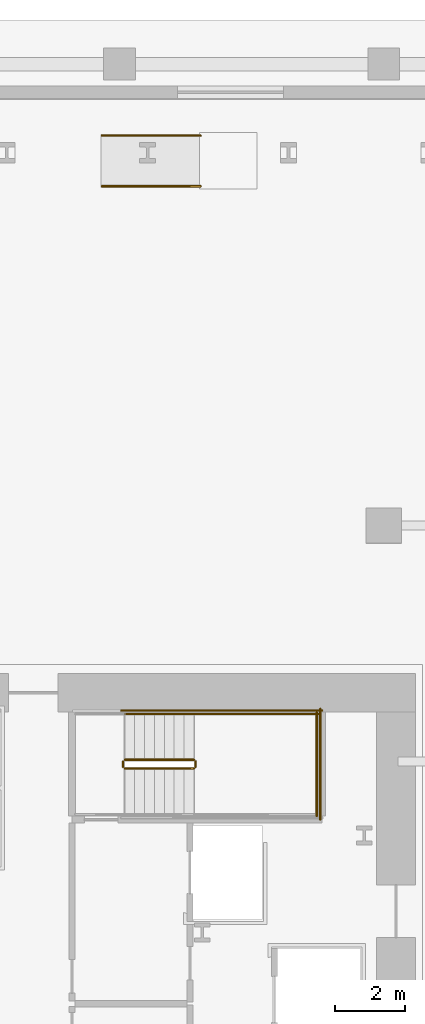
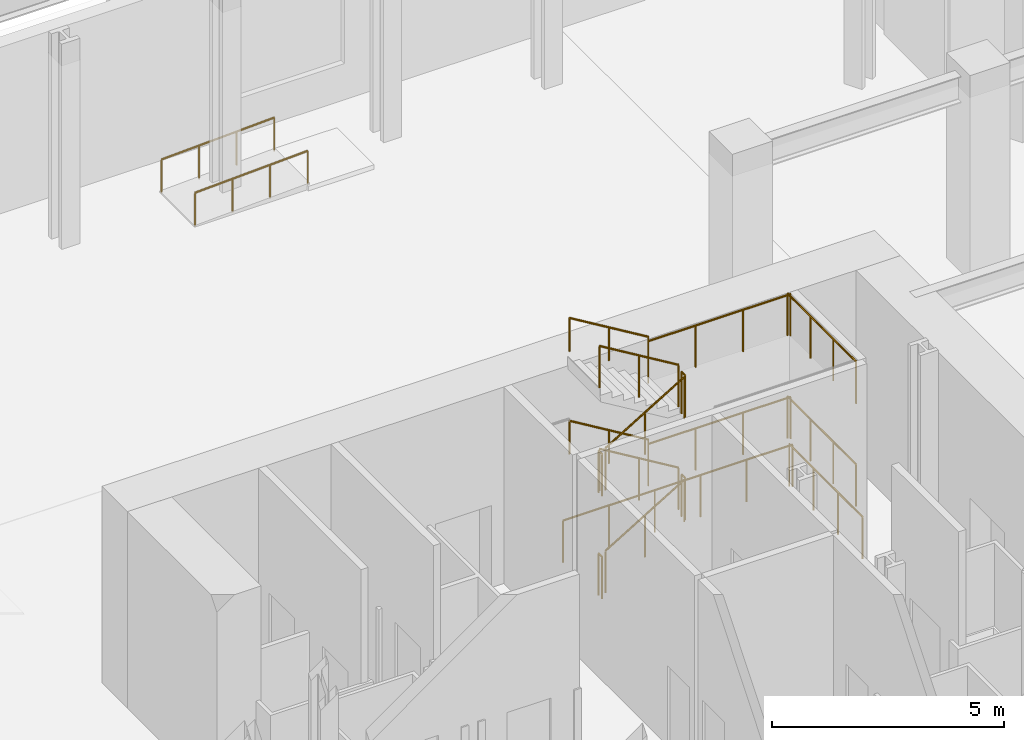
# One storey, part 15 of 18: 18 railings.
"""IFC4 building model written with IfcOpenShell, lengths in metres."""

from ifc_helpers import new_model, si_unit, direction, frame, origin, origin_2d, place, context, subcontext, project, spatial, circle, extrude, material, type_object, element, save


model = new_model("IFC4")

# Units and contexts
model_context = context("Model", 3, precision=1e-05, world=origin(), true_north=direction((0.0, 1.0)))
body_context = subcontext(model_context, "Body", "Model", "MODEL_VIEW")
ifc_project = project(units=[si_unit("LENGTHUNIT", "METRE"), si_unit("AREAUNIT", "SQUARE_METRE"), si_unit("VOLUMEUNIT", "CUBIC_METRE"), si_unit("PLANEANGLEUNIT", "RADIAN"), si_unit("MASSUNIT", "GRAM", prefix="KILO")], contexts=[model_context])

# Site, building, storey
site_placement = place(None, origin())
site = spatial("IfcSite", under=ifc_project, at=site_placement, CompositionType="ELEMENT")
building_placement = place(site_placement, origin())
building = spatial("IfcBuilding", under=site, at=building_placement, Name="Valkerne Bourse Tower", CompositionType="ELEMENT")
storey_placement = place(building_placement, origin())
storey = spatial("IfcBuildingStorey", under=building, at=storey_placement, Name="L00", CompositionType="ELEMENT", Elevation=0.0)

# Railings
ifc_material_1 = material(Name="Galvanised Painted Steel", Category="steel")
railing_type_1 = type_object("IfcRailingType", Name="RLG-ST-GUARD-1120", PredefinedType="GUARDRAIL", material=ifc_material_1)
railing_1_placement = place(storey_placement, frame((48.14990234375, 33.550048828125, 0.168701171875)))
element("IfcRailing", 1, at=railing_1_placement, inside=storey, type_object=railing_type_1, Name="L00 ST-2 stair guard 1", PredefinedType="GUARDRAIL", context=body_context, shape_type="SweptSolid", body=[
    extrude(circle(Radius=0.02392578125, at=origin_2d()), frame((0.0, 0.0, 1.09619140625), z_axis=(0.856474724393, 0.0, 0.516188963923), x_axis=(0.0, 1.0, 0.0)), (0.0, 0.0, 1.0), 2.28857421875),
    extrude(circle(Radius=0.02099609375, at=origin_2d()), origin(), (0.0, 0.0, 1.0), 1.072021484375),
    extrude(circle(Radius=0.02099609375, at=origin_2d()), frame((0.97998046875, 0.0, 0.5908203125)), (0.0, 0.0, 1.0), 1.072021484375),
    extrude(circle(Radius=0.02099609375, at=origin_2d()), frame((1.960205078125, 0.0, 1.181396484375)), (0.0, 0.0, 1.0), 1.072021484375),
])
railing_2_placement = place(storey_placement, frame((50.159912109375, 33.60009765625, 1.35009765625)))
element("IfcRailing", 2, at=railing_2_placement, inside=storey, type_object=railing_type_1, Name="L00 ST-2 stair guard 2", PredefinedType="GUARDRAIL", context=body_context, shape_type="SweptSolid", body=[
    extrude(circle(Radius=0.02392578125, at=origin_2d()), frame((0.0, 0.0, 1.09619140625), z_axis=(0.0, 1.0, 0.0), x_axis=(-1.0, 0.0, 0.0)), (0.0, 0.0, 1.0), 0.14990234375),
    extrude(circle(Radius=0.02099609375, at=origin_2d()), origin(), (0.0, 0.0, 1.0), 1.072021484375),
    extrude(circle(Radius=0.02099609375, at=origin_2d()), frame((0.0, 0.14990234375, 0.0)), (0.0, 0.0, 1.0), 1.072021484375),
])
railing_3_placement = place(storey_placement, frame((50.110107421875, 35.10009765625, 1.35009765625)))
element("IfcRailing", 3, at=railing_3_placement, inside=storey, type_object=railing_type_1, Name="L00 ST-2 stair guard 4", PredefinedType="GUARDRAIL", context=body_context, shape_type="SweptSolid", body=[
    extrude(circle(Radius=0.02392578125, at=origin_2d()), frame((0.0, 0.0, 1.09619140625), z_axis=(1.0, 0.0, 0.0), x_axis=(0.0, 1.0, 0.0)), (0.0, 0.0, 1.0), 3.539794921875),
    extrude(circle(Radius=0.02099609375, at=origin_2d()), origin(), (0.0, 0.0, 1.0), 1.072021484375),
    extrude(circle(Radius=0.02099609375, at=origin_2d()), frame((1.179931640625, 0.0, 0.0)), (0.0, 0.0, 1.0), 1.072021484375),
    extrude(circle(Radius=0.02099609375, at=origin_2d()), frame((2.35986328125, 0.0, 0.0)), (0.0, 0.0, 1.0), 1.072021484375),
    extrude(circle(Radius=0.02099609375, at=origin_2d()), frame((3.539794921875, 0.0, 0.0)), (0.0, 0.0, 1.0), 1.072021484375),
])
railing_4_placement = place(storey_placement, frame((53.60009765625, 32.199951171875, 1.35009765625)))
element("IfcRailing", 4, at=railing_4_placement, inside=storey, type_object=railing_type_1, Name="L00 ST-2 stair guard 5", PredefinedType="GUARDRAIL", context=body_context, shape_type="SweptSolid", body=[
    extrude(circle(Radius=0.02392578125, at=origin_2d()), frame((0.0, 0.0, 1.09619140625), z_axis=(0.0, 1.0, 0.0), x_axis=(-1.0, 0.0, 0.0)), (0.0, 0.0, 1.0), 2.949951171875),
    extrude(circle(Radius=0.02099609375, at=origin_2d()), origin(), (0.0, 0.0, 1.0), 1.072021484375),
    extrude(circle(Radius=0.02099609375, at=origin_2d()), frame((0.0, 0.9833984375, 0.0)), (0.0, 0.0, 1.0), 1.072021484375),
    extrude(circle(Radius=0.02099609375, at=origin_2d()), frame((0.0, 1.966552734375, 0.0)), (0.0, 0.0, 1.0), 1.072021484375),
    extrude(circle(Radius=0.02099609375, at=origin_2d()), frame((0.0, 2.949951171875, 0.0)), (0.0, 0.0, 1.0), 1.072021484375),
])
railing_5_placement = place(storey_placement, frame((50.110107421875, 33.800048828125, 1.518798828125)))
element("IfcRailing", 5, at=railing_5_placement, inside=storey, type_object=railing_type_1, Name="L00 ST-2 stair guard 6", PredefinedType="GUARDRAIL", context=body_context, shape_type="SweptSolid", body=[
    extrude(circle(Radius=0.02392578125, at=origin_2d()), frame((0.0, 0.0, 1.09619140625), z_axis=(-0.856521883693, 0.0, 0.516110707847), x_axis=(0.0, -1.0, 0.0)), (0.0, 0.0, 1.0), 2.28857421875),
    extrude(circle(Radius=0.02099609375, at=origin_2d()), origin(), (0.0, 0.0, 1.0), 1.072021484375),
    extrude(circle(Radius=0.02099609375, at=origin_2d()), frame((-0.97998046875, 0.0, 0.590576171875)), (0.0, 0.0, 1.0), 1.072021484375),
    extrude(circle(Radius=0.02099609375, at=origin_2d()), frame((-1.960205078125, 0.0, 1.18115234375)), (0.0, 0.0, 1.0), 1.072021484375),
])
railing_6_placement = place(storey_placement, frame((48.10009765625, 33.60009765625, 2.699951171875)))
element("IfcRailing", 6, at=railing_6_placement, inside=storey, type_object=railing_type_1, Name="L00 ST-2 stair guard 7", PredefinedType="GUARDRAIL", context=body_context, shape_type="SweptSolid", body=[
    extrude(circle(Radius=0.02392578125, at=origin_2d()), frame((0.0, 0.0, 1.09619140625), z_axis=(0.0, 1.0, 0.0), x_axis=(-1.0, 0.0, 0.0)), (0.0, 0.0, 1.0), 0.14990234375),
    extrude(circle(Radius=0.02099609375, at=origin_2d()), origin(), (0.0, 0.0, 1.0), 1.072021484375),
    extrude(circle(Radius=0.02099609375, at=origin_2d()), frame((0.0, 0.14990234375, 0.0)), (0.0, 0.0, 1.0), 1.072021484375),
])
railing_7_placement = place(storey_placement, frame((48.14990234375, 33.550048828125, 2.86865234375)))
element("IfcRailing", 7, at=railing_7_placement, inside=storey, type_object=railing_type_1, Name="L00 ST-2 stair guard 10", PredefinedType="GUARDRAIL", context=body_context, shape_type="SweptSolid", body=[
    extrude(circle(Radius=0.02392578125, at=origin_2d()), frame((0.0, 0.0, 1.09619140625), z_axis=(0.856474724393, 0.0, 0.516188963923), x_axis=(0.0, 1.0, 0.0)), (0.0, 0.0, 1.0), 2.28857421875),
    extrude(circle(Radius=0.02099609375, at=origin_2d()), origin(), (0.0, 0.0, 1.0), 1.072021484375),
    extrude(circle(Radius=0.02099609375, at=origin_2d()), frame((0.97998046875, 0.0, 0.5908203125)), (0.0, 0.0, 1.0), 1.072021484375),
    extrude(circle(Radius=0.02099609375, at=origin_2d()), frame((1.960205078125, 0.0, 1.181396484375)), (0.0, 0.0, 1.0), 1.072021484375),
])
railing_8_placement = place(storey_placement, frame((50.159912109375, 33.60009765625, 4.050048828125)))
element("IfcRailing", 8, at=railing_8_placement, inside=storey, type_object=railing_type_1, Name="L00 ST-2 stair guard 11", PredefinedType="GUARDRAIL", context=body_context, shape_type="SweptSolid", body=[
    extrude(circle(Radius=0.02392578125, at=origin_2d()), frame((0.0, 0.0, 1.09619140625), z_axis=(0.0, 1.0, 0.0), x_axis=(-1.0, 0.0, 0.0)), (0.0, 0.0, 1.0), 0.14990234375),
    extrude(circle(Radius=0.02099609375, at=origin_2d()), origin(), (0.0, 0.0, 1.0), 1.072021484375),
    extrude(circle(Radius=0.02099609375, at=origin_2d()), frame((0.0, 0.14990234375, 0.0)), (0.0, 0.0, 1.0), 1.072021484375),
])
railing_9_placement = place(storey_placement, frame((50.110107421875, 35.10009765625, 4.050048828125)))
element("IfcRailing", 9, at=railing_9_placement, inside=storey, type_object=railing_type_1, Name="L00 ST-2 stair guard 13", PredefinedType="GUARDRAIL", context=body_context, shape_type="SweptSolid", body=[
    extrude(circle(Radius=0.02392578125, at=origin_2d()), frame((0.0, 0.0, 1.09619140625), z_axis=(1.0, 0.0, 0.0), x_axis=(0.0, 1.0, 0.0)), (0.0, 0.0, 1.0), 3.539794921875),
    extrude(circle(Radius=0.02099609375, at=origin_2d()), origin(), (0.0, 0.0, 1.0), 1.072021484375),
    extrude(circle(Radius=0.02099609375, at=origin_2d()), frame((1.179931640625, 0.0, 0.0)), (0.0, 0.0, 1.0), 1.072021484375),
    extrude(circle(Radius=0.02099609375, at=origin_2d()), frame((2.35986328125, 0.0, 0.0)), (0.0, 0.0, 1.0), 1.072021484375),
    extrude(circle(Radius=0.02099609375, at=origin_2d()), frame((3.539794921875, 0.0, 0.0)), (0.0, 0.0, 1.0), 1.072021484375),
])
railing_10_placement = place(storey_placement, frame((53.60009765625, 32.199951171875, 4.050048828125)))
element("IfcRailing", 10, at=railing_10_placement, inside=storey, type_object=railing_type_1, Name="L00 ST-2 stair guard 14", PredefinedType="GUARDRAIL", context=body_context, shape_type="SweptSolid", body=[
    extrude(circle(Radius=0.02392578125, at=origin_2d()), frame((0.0, 0.0, 1.09619140625), z_axis=(0.0, 1.0, 0.0), x_axis=(-1.0, 0.0, 0.0)), (0.0, 0.0, 1.0), 2.949951171875),
    extrude(circle(Radius=0.02099609375, at=origin_2d()), origin(), (0.0, 0.0, 1.0), 1.072021484375),
    extrude(circle(Radius=0.02099609375, at=origin_2d()), frame((0.0, 0.9833984375, 0.0)), (0.0, 0.0, 1.0), 1.072021484375),
    extrude(circle(Radius=0.02099609375, at=origin_2d()), frame((0.0, 1.966552734375, 0.0)), (0.0, 0.0, 1.0), 1.072021484375),
    extrude(circle(Radius=0.02099609375, at=origin_2d()), frame((0.0, 2.949951171875, 0.0)), (0.0, 0.0, 1.0), 1.072021484375),
])
railing_11_placement = place(storey_placement, frame((50.110107421875, 33.800048828125, 4.21875)))
element("IfcRailing", 11, at=railing_11_placement, inside=storey, type_object=railing_type_1, Name="L00 ST-2 stair guard 15", PredefinedType="GUARDRAIL", context=body_context, shape_type="SweptSolid", body=[
    extrude(circle(Radius=0.02392578125, at=origin_2d()), frame((0.0, 0.0, 1.09619140625), z_axis=(-0.856521883693, 0.0, 0.516110707847), x_axis=(0.0, -1.0, 0.0)), (0.0, 0.0, 1.0), 2.28857421875),
    extrude(circle(Radius=0.02099609375, at=origin_2d()), origin(), (0.0, 0.0, 1.0), 1.072021484375),
    extrude(circle(Radius=0.02099609375, at=origin_2d()), frame((-0.97998046875, 0.0, 0.590576171875)), (0.0, 0.0, 1.0), 1.072021484375),
    extrude(circle(Radius=0.02099609375, at=origin_2d()), frame((-1.960205078125, 0.0, 1.18115234375)), (0.0, 0.0, 1.0), 1.072021484375),
])
railing_12_placement = place(storey_placement, frame((48.10009765625, 33.60009765625, 0.0)))
element("IfcRailing", 12, at=railing_12_placement, inside=storey, type_object=railing_type_1, Name="L00 ST-2 stair guard 16", PredefinedType="GUARDRAIL", context=body_context, shape_type="SweptSolid", body=[
    extrude(circle(Radius=0.02392578125, at=origin_2d()), frame((0.0, 0.0, 1.09619140625), z_axis=(0.0, 1.0, 0.0), x_axis=(-1.0, 0.0, 0.0)), (0.0, 0.0, 1.0), 0.14990234375),
    extrude(circle(Radius=0.02099609375, at=origin_2d()), origin(), (0.0, 0.0, 1.0), 1.072021484375),
    extrude(circle(Radius=0.02099609375, at=origin_2d()), frame((0.0, 0.14990234375, 0.0)), (0.0, 0.0, 1.0), 1.072021484375),
])
railing_13_placement = place(storey_placement, frame((48.050048828125, 35.199951171875, 0.0)))
element("IfcRailing", 13, at=railing_13_placement, inside=storey, type_object=railing_type_1, Name="L00 ST-2 stair guard 20", PredefinedType="GUARDRAIL", context=body_context, shape_type="SweptSolid", body=[
    extrude(circle(Radius=0.02392578125, at=origin_2d()), frame((0.0, 0.0, 1.09619140625), z_axis=(1.0, 0.0, 0.0), x_axis=(0.0, 1.0, 0.0)), (0.0, 0.0, 1.0), 5.699951171875),
    extrude(circle(Radius=0.02099609375, at=origin_2d()), origin(), (0.0, 0.0, 1.0), 1.072021484375),
    extrude(circle(Radius=0.02099609375, at=origin_2d()), frame((1.139892578125, 0.0, 0.0)), (0.0, 0.0, 1.0), 1.072021484375),
    extrude(circle(Radius=0.02099609375, at=origin_2d()), frame((2.280029296875, 0.0, 0.0)), (0.0, 0.0, 1.0), 1.072021484375),
    extrude(circle(Radius=0.02099609375, at=origin_2d()), frame((3.419921875, 0.0, 0.0)), (0.0, 0.0, 1.0), 1.072021484375),
    extrude(circle(Radius=0.02099609375, at=origin_2d()), frame((4.56005859375, 0.0, 0.0)), (0.0, 0.0, 1.0), 1.072021484375),
    extrude(circle(Radius=0.02099609375, at=origin_2d()), frame((5.699951171875, 0.0, 0.0)), (0.0, 0.0, 1.0), 1.072021484375),
])
railing_14_placement = place(storey_placement, frame((53.699951171875, 32.10009765625, 0.0)))
element("IfcRailing", 14, at=railing_14_placement, inside=storey, type_object=railing_type_1, Name="L00 ST-2 stair guard 21", PredefinedType="GUARDRAIL", context=body_context, shape_type="SweptSolid", body=[
    extrude(circle(Radius=0.02392578125, at=origin_2d()), frame((0.0, 0.0, 1.09619140625), z_axis=(0.0, 1.0, 0.0), x_axis=(-1.0, 0.0, 0.0)), (0.0, 0.0, 1.0), 3.14990234375),
    extrude(circle(Radius=0.02099609375, at=origin_2d()), origin(), (0.0, 0.0, 1.0), 1.072021484375),
    extrude(circle(Radius=0.02099609375, at=origin_2d()), frame((0.0, 1.050048828125, 0.0)), (0.0, 0.0, 1.0), 1.072021484375),
    extrude(circle(Radius=0.02099609375, at=origin_2d()), frame((0.0, 2.099853515625, 0.0)), (0.0, 0.0, 1.0), 1.072021484375),
    extrude(circle(Radius=0.02099609375, at=origin_2d()), frame((0.0, 3.14990234375, 0.0)), (0.0, 0.0, 1.0), 1.072021484375),
])
ifc_material_2 = material(Name="Stainless Steel AISI 316", Category="steel")
railing_type_2 = type_object("IfcRailingType", Name="RLG-ST-HANDRAIL-900", PredefinedType="HANDRAIL", material=ifc_material_2)
railing_15_placement = place(storey_placement, frame((50.110107421875, 35.10009765625, 1.6875)))
element("IfcRailing", 15, at=railing_15_placement, inside=storey, type_object=railing_type_2, Name="L00 ST-2 stair handrail 2", PredefinedType="HANDRAIL", context=body_context, shape_type="SweptSolid", body=[
    extrude(circle(Radius=0.02392578125, at=origin_2d()), frame((0.0, 0.0, 0.8759765625), z_axis=(-0.856521883693, 0.0, 0.516110707847), x_axis=(0.0, -1.0, 0.0)), (0.0, 0.0, 1.0), 2.28857421875),
    extrude(circle(Radius=0.02099609375, at=origin_2d()), origin(), (0.0, 0.0, 1.0), 0.851806640625),
    extrude(circle(Radius=0.02099609375, at=origin_2d()), frame((-0.97998046875, 0.0, 0.590576171875)), (0.0, 0.0, 1.0), 0.851806640625),
    extrude(circle(Radius=0.02099609375, at=origin_2d()), frame((-1.960205078125, 0.0, 1.18115234375)), (0.0, 0.0, 1.0), 0.851806640625),
])
railing_16_placement = place(storey_placement, frame((50.110107421875, 35.10009765625, 4.387451171875)))
element("IfcRailing", 16, at=railing_16_placement, inside=storey, type_object=railing_type_2, Name="L00 ST-2 stair handrail 4", PredefinedType="HANDRAIL", context=body_context, shape_type="SweptSolid", body=[
    extrude(circle(Radius=0.02392578125, at=origin_2d()), frame((0.0, 0.0, 0.8759765625), z_axis=(-0.856474724393, 0.0, 0.516188963923), x_axis=(0.0, -1.0, 0.0)), (0.0, 0.0, 1.0), 2.28857421875),
    extrude(circle(Radius=0.02099609375, at=origin_2d()), origin(), (0.0, 0.0, 1.0), 0.851806640625),
    extrude(circle(Radius=0.02099609375, at=origin_2d()), frame((-0.97998046875, 0.0, 0.5908203125)), (0.0, 0.0, 1.0), 0.851806640625),
    extrude(circle(Radius=0.02099609375, at=origin_2d()), frame((-1.960205078125, 0.0, 1.181396484375)), (0.0, 0.0, 1.0), 0.851806640625),
])
for number, where, name in (
    (17, (47.5, 50.080078125, 0.0), "L00 Accessible Ramp RMP-PED-02 Railing 1"),
    (18, (47.5, 51.52001953125, 0.0), "L00 Accessible Ramp RMP-PED-02 Railing 2"),
):
    element("IfcRailing", number, at=place(storey_placement, frame(where)), inside=storey, type_object=railing_type_2, Name=name, PredefinedType="HANDRAIL", context=body_context, shape_type="SweptSolid", body=[
        extrude(circle(Radius=0.02392578125, at=origin_2d()), frame((0.0, 0.0, 0.8759765625), z_axis=(0.999081138197, 0.0, 0.042858829889), x_axis=(0.0, 1.0, 0.0)), (0.0, 0.0, 1.0), 2.802734375),
        extrude(circle(Radius=0.02099609375, at=origin_2d()), origin(), (0.0, 0.0, 1.0), 0.851806640625),
        extrude(circle(Radius=0.02099609375, at=origin_2d()), frame((0.933349609375, 0.0, 0.0400390625)), (0.0, 0.0, 1.0), 0.851806640625),
        extrude(circle(Radius=0.02099609375, at=origin_2d()), frame((1.86669921875, 0.0, 0.080078125)), (0.0, 0.0, 1.0), 0.851806640625),
        extrude(circle(Radius=0.02099609375, at=origin_2d()), frame((2.800048828125, 0.0, 0.1201171875)), (0.0, 0.0, 1.0), 0.851806640625),
    ])

save(model, "model.ifc")
